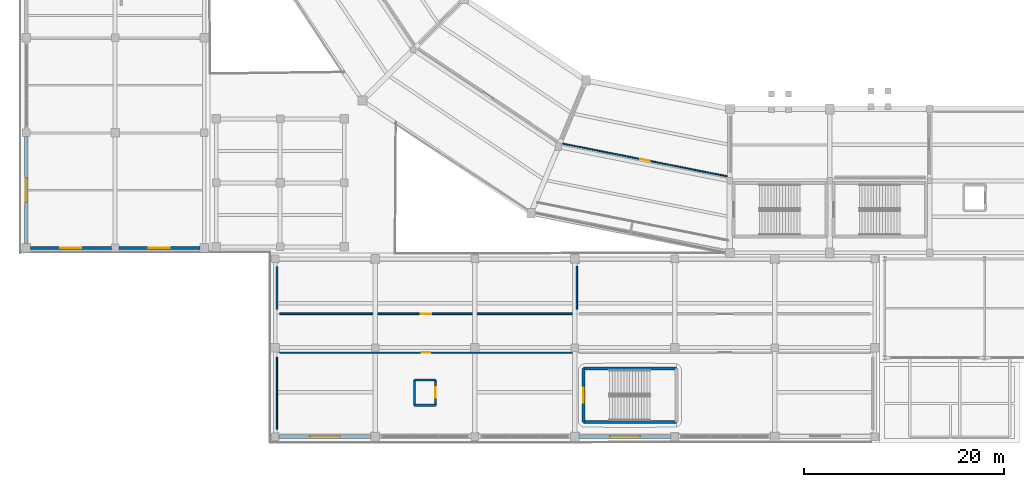
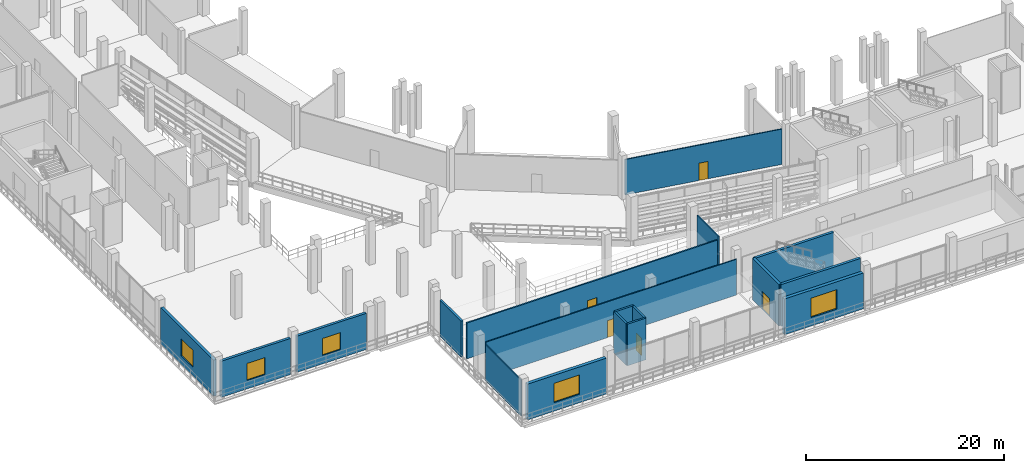
# One storey, part 70 of 114: 18 walls, 5 doors, 5 windows, 10 openings.
"""IFC4 building model written with IfcOpenShell, lengths in metres."""

from ifc_helpers import new_model, si_unit, direction, frame, frame_2d, origin, place, context, subcontext, project, spatial, rectangle, extrude, material, layer, layer_set, type_object, element, fill, save


model = new_model("IFC4")

# Units and contexts
model_context = context("Model", 3, precision=1e-05, world=origin(), true_north=direction((0.0, 1.0)))
body_context = subcontext(model_context, "Body", "Model", "MODEL_VIEW")
ifc_project = project(units=[si_unit("LENGTHUNIT", "METRE"), si_unit("AREAUNIT", "SQUARE_METRE"), si_unit("VOLUMEUNIT", "CUBIC_METRE"), si_unit("PLANEANGLEUNIT", "RADIAN"), si_unit("MASSUNIT", "GRAM", prefix="KILO")], contexts=[model_context])

# Site, building, storey
site_placement = place(None, origin())
site = spatial("IfcSite", under=ifc_project, at=site_placement, CompositionType="ELEMENT")
building_placement = place(site_placement, origin())
building = spatial("IfcBuilding", under=site, at=building_placement, Name="Candeia Ridge Stadium", CompositionType="ELEMENT")
storey_placement = place(building_placement, frame((0.0, 0.0, 5.39990234375)))
storey = spatial("IfcBuildingStorey", under=building, at=storey_placement, Name="L01", CompositionType="ELEMENT", Elevation=5.39990234375)

# Walls
ifc_material_1 = material(Name="Gypsum Metal-Stud Partition", Category="gypsum")
ifc_layer_1 = layer(ifc_material_1, 0.14501953125, Name="Gypsum Metal-Stud Partition", Category="gypsum")
ifc_layer_set_1 = layer_set([ifc_layer_1], Name="Gypsum Metal-Stud Partition")
wall_type_1 = type_object("IfcWallType", Name="Athlete Recovery Partition 145", PredefinedType="PARTITIONING", material=ifc_layer_set_1)
wall_1_placement = place(storey_placement, frame((55.699951171875, 13.35009765625, 0.0), z_axis=(0.0, 0.0, 1.0), x_axis=(0.0, 1.0, 0.0)))
element("IfcWall", 1, at=wall_1_placement, inside=storey, type_object=wall_type_1, Name="Demising partition PT-L01-0231", PredefinedType="PARTITIONING", context=body_context, shape_type="SweptSolid", body=[
    extrude(rectangle(XDim=4.2998046875, YDim=0.14501953125, at=frame_2d((2.14990234375, 0.0))), origin(), (0.0, 0.0, 1.0), 4.425048828125),
])
ifc_material_2 = material(Name="Concrete C45/55", Category="concrete")
ifc_layer_2 = layer(ifc_material_2, 0.300048828125, Name="Concrete C45/55", Category="concrete")
ifc_layer_set_2 = layer_set([ifc_layer_2], Name="Concrete C45/55")
wall_type_2 = type_object("IfcWallType", Name="Core Shear Wall Concrete 300", PredefinedType="SHEAR", material=ifc_layer_set_2)
for number, where, z_axis, x_axis, name in (
    (2, (56.350341796875, 2.05029296875, 0.0), (0.0, 0.0, 1.0), (1.0, 0.0, 0.0), "Core C13 left shear wall L01"),
    (3, (65.649658203125, 7.399658203125, 0.0), (0.0, 0.0, 1.0), (-1.0, 0.0, 0.0), "Core C13 right shear wall L01"),
):
    element("IfcWall", number, at=place(storey_placement, frame(where, z_axis=z_axis, x_axis=x_axis)), inside=storey, type_object=wall_type_2, Name=name, PredefinedType="SHEAR", context=body_context, shape_type="SweptSolid", body=[
        extrude(rectangle(XDim=9.29931640625, YDim=0.300048828125, at=frame_2d((4.649658203125, 0.0))), origin(), (0.0, 0.0, 1.0), 5.14013671875),
    ])

# Wall, opening, door
wall_2_placement = place(storey_placement, frame((56.350341796875, 7.399658203125, 0.0), z_axis=(0.0, 0.0, 1.0), x_axis=(0.0, -1.0, 0.0)))
wall_2 = element("IfcWall", 4, at=wall_2_placement, inside=storey, type_object=wall_type_2, Name="Core C13 near shear wall L01", PredefinedType="SHEAR", context=body_context, shape_type="SweptSolid", body=[
    extrude(rectangle(XDim=5.349365234375, YDim=0.300048828125, at=frame_2d((2.6748046875, 0.0))), origin(), (0.0, 0.0, 1.0), 5.14013671875),
])
opening_1_placement = place(wall_2_placement, frame((1.924560546875, 0.0, 0.0)))
opening_1 = element("IfcOpeningElement", 5, at=opening_1_placement, cuts=wall_2, Name="Opening FD01", PredefinedType="OPENING", context=body_context, shape_type="SweptSolid", body=[
    extrude(rectangle(XDim=1.5, YDim=2.199951171875, at=frame_2d((0.75, 1.10009765625))), frame((0.0, 0.159912109375, 0.0), z_axis=(0.0, -1.0, 0.0), x_axis=(1.0, 0.0, 0.0)), (0.0, 0.0, 1.0), 0.320068359375),
])
ifc_material_3 = material(Name="Galvanized Fire-Rated Steel", Category="steel")
door_type_1 = type_object("IfcDoorType", Name="Exit Stair Core Fire Door 1500x2200", OperationType="NOTDEFINED", PredefinedType="DOOR", material=ifc_material_3)
door_1_placement = place(opening_1_placement, origin())
door_1 = element("IfcDoor", 6, at=door_1_placement, inside=storey, type_object=door_type_1, Name="Exit stair fire door SD-ST13-L01", OperationType="DOUBLE_DOOR_SINGLE_SWING", OverallHeight=2.199951171875, OverallWidth=1.5, PredefinedType="DOOR", context=body_context, shape_type="SweptSolid", body=[
    extrude(rectangle(XDim=1.5, YDim=2.199951171875, at=frame_2d((0.75, 1.10009765625))), frame((0.0, 0.02490234375, 0.0), z_axis=(0.0, -1.0, 0.0), x_axis=(1.0, 0.0, 0.0)), (0.0, 0.0, 1.0), 0.050048828125),
])
fill(opening_1, door_1)

# Wall
ifc_material_4 = material(Name="Moisture-Resistant Masonry & Tile", Category="masonry")
ifc_layer_3 = layer(ifc_material_4, 0.22998046875, Name="Moisture-Resistant Masonry & Tile", Category="masonry")
ifc_layer_set_3 = layer_set([ifc_layer_3], Name="Moisture-Resistant Masonry & Tile")
wall_type_3 = type_object("IfcWallType", Name="Dressing Suite Wet-Wall Chase 230", PredefinedType="PLUMBINGWALL", material=ifc_layer_set_3)
wall_3_placement = place(storey_placement, frame((25.699951171875, 13.35009765625, 0.0), z_axis=(0.0, 0.0, 1.0), x_axis=(0.0, 1.0, 0.0)))
element("IfcWall", 7, at=wall_3_placement, inside=storey, type_object=wall_type_3, Name="Demising partition PT-L01-0227", PredefinedType="PLUMBINGWALL", context=body_context, shape_type="SweptSolid", body=[
    extrude(rectangle(XDim=4.2998046875, YDim=0.22998046875, at=frame_2d((2.14990234375, 0.0))), origin(), (0.0, 0.0, 1.0), 4.47509765625),
])

# Wall, opening, window
ifc_material_5 = material(Name="Concrete C35/45", Category="concrete")
ifc_layer_4 = layer(ifc_material_5, 0.320068359375, Name="Concrete C35/45", Category="concrete")
ifc_layer_set_4 = layer_set([ifc_layer_4], Name="Concrete C35/45")
wall_type_4 = type_object("IfcWallType", Name="Exterior Cedar-Clad Insulated Wall 320", PredefinedType="SOLIDWALL", material=ifc_layer_set_4)
wall_4_placement = place(storey_placement, frame((0.60009765625, 19.9130859375, 0.0), z_axis=(0.0, 0.0, 1.0), x_axis=(0.0, 1.0, 0.0)))
wall_4 = element("IfcWall", 8, at=wall_4_placement, inside=storey, type_object=wall_type_4, Name="Exterior facade wall EW-L01-0063", PredefinedType="SOLIDWALL", context=body_context, shape_type="SweptSolid", body=[
    extrude(rectangle(XDim=10.723876953125, YDim=0.320068359375, at=frame_2d((5.36181640625, 0.0))), origin(), (0.0, 0.0, 1.0), 4.47509765625),
])
opening_2_placement = place(wall_4_placement, frame((4.162109375, 0.0, 1.050048828125)))
opening_2 = element("IfcOpeningElement", 9, at=opening_2_placement, cuts=wall_4, Name="Opening W03", PredefinedType="OPENING", context=body_context, shape_type="SweptSolid", body=[
    extrude(rectangle(XDim=2.39990234375, YDim=2.10009765625, at=frame_2d((1.199951171875, 1.050048828125))), frame((0.0, 0.169921875, 0.0), z_axis=(0.0, -1.0, 0.0), x_axis=(1.0, 0.0, 0.0)), (0.0, 0.0, 1.0), 0.340087890625),
])
ifc_material_6 = material(Name="Tempered Solar-Control Double Glazing", Category="glass")
window_type_1 = type_object("IfcWindowType", Name="Hospitality Ribbon Window 2400x2100", PartitioningType="SINGLE_PANEL", PredefinedType="WINDOW", material=ifc_material_6)
window_1_placement = place(opening_2_placement, origin())
window_1 = element("IfcWindow", 10, at=window_1_placement, inside=storey, type_object=window_type_1, Name="Exterior window WIN-L01-019", OverallHeight=2.10009765625, OverallWidth=2.39990234375, PartitioningType="SINGLE_PANEL", PredefinedType="WINDOW", context=body_context, shape_type="SweptSolid", body=[
    extrude(rectangle(XDim=2.39990234375, YDim=2.10009765625, at=frame_2d((1.199951171875, 1.050048828125))), frame((0.0, 0.030029296875, 0.0), z_axis=(0.0, -1.0, 0.0), x_axis=(1.0, 0.0, 0.0)), (0.0, 0.0, 1.0), 0.06005859375),
])
fill(opening_2, window_1)

ifc_material_7 = material(Name="Concrete C40/50", Category="concrete")
ifc_layer_5 = layer(ifc_material_7, 0.3798828125, Name="Concrete C40/50", Category="concrete")
ifc_layer_set_5 = layer_set([ifc_layer_5], Name="Concrete C40/50")
wall_type_5 = type_object("IfcWallType", Name="Exterior Museum Gallery Wall 380", PredefinedType="SOLIDWALL", material=ifc_layer_set_5)
wall_5_placement = place(storey_placement, frame((25.863037109375, 0.60009765625, 0.0), z_axis=(0.0, 0.0, 1.0), x_axis=(1.0, 0.0, 0.0)))
wall_5 = element("IfcWall", 11, at=wall_5_placement, inside=storey, type_object=wall_type_5, Name="Exterior facade wall EW-L01-0170", PredefinedType="SOLIDWALL", context=body_context, shape_type="SweptSolid", body=[
    extrude(rectangle(XDim=9.223876953125, YDim=0.3798828125, at=frame_2d((4.61181640625, 0.0))), origin(), (0.0, 0.0, 1.0), 4.425048828125),
])
opening_3_placement = place(wall_5_placement, frame((3.112060546875, 0.0, 1.050048828125)))
opening_3 = element("IfcOpeningElement", 12, at=opening_3_placement, cuts=wall_5, Name="Opening W01", PredefinedType="OPENING", context=body_context, shape_type="SweptSolid", body=[
    extrude(rectangle(XDim=3.0, YDim=2.39990234375, at=frame_2d((1.5, 1.199951171875))), frame((0.0, 0.199951171875, 0.0), z_axis=(0.0, -1.0, 0.0), x_axis=(1.0, 0.0, 0.0)), (0.0, 0.0, 1.0), 0.39990234375),
])
window_type_2 = type_object("IfcWindowType", Name="Boulevard Showcase Window 3000x2400", PartitioningType="SINGLE_PANEL", PredefinedType="WINDOW", material=ifc_material_6)
window_2_placement = place(opening_3_placement, origin())
window_2 = element("IfcWindow", 13, at=window_2_placement, inside=storey, type_object=window_type_2, Name="Exterior window WIN-L01-091", OverallHeight=2.39990234375, OverallWidth=3.0, PartitioningType="SINGLE_PANEL", PredefinedType="WINDOW", context=body_context, shape_type="SweptSolid", body=[
    extrude(rectangle(XDim=3.0, YDim=2.39990234375, at=frame_2d((1.5, 1.199951171875))), frame((0.0, 0.030029296875, 0.0), z_axis=(0.0, -1.0, 0.0), x_axis=(1.0, 0.0, 0.0)), (0.0, 0.0, 1.0), 0.06005859375),
])
fill(opening_3, window_2)

wall_6_placement = place(storey_placement, frame((55.9130859375, 0.60009765625, 0.0), z_axis=(0.0, 0.0, 1.0), x_axis=(1.0, 0.0, 0.0)))
wall_6 = element("IfcWall", 14, at=wall_6_placement, inside=storey, type_object=wall_type_5, Name="Exterior facade wall EW-L01-0171", PredefinedType="SOLIDWALL", context=body_context, shape_type="SweptSolid", body=[
    extrude(rectangle(XDim=9.223876953125, YDim=0.3798828125, at=frame_2d((4.61181640625, 0.0))), origin(), (0.0, 0.0, 1.0), 4.425048828125),
])
opening_4_placement = place(wall_6_placement, frame((3.112060546875, 0.0, 1.050048828125)))
opening_4 = element("IfcOpeningElement", 15, at=opening_4_placement, cuts=wall_6, Name="Opening W01", PredefinedType="OPENING", context=body_context, shape_type="SweptSolid", body=[
    extrude(rectangle(XDim=3.0, YDim=2.39990234375, at=frame_2d((1.5, 1.199951171875))), frame((0.0, 0.199951171875, 0.0), z_axis=(0.0, -1.0, 0.0), x_axis=(1.0, 0.0, 0.0)), (0.0, 0.0, 1.0), 0.39990234375),
])
window_3_placement = place(opening_4_placement, origin())
window_3 = element("IfcWindow", 16, at=window_3_placement, inside=storey, type_object=window_type_2, Name="Exterior window WIN-L01-092", OverallHeight=2.39990234375, OverallWidth=3.0, PartitioningType="SINGLE_PANEL", PredefinedType="WINDOW", context=body_context, shape_type="SweptSolid", body=[
    extrude(rectangle(XDim=3.0, YDim=2.39990234375, at=frame_2d((1.5, 1.199951171875))), frame((0.0, 0.030029296875, 0.0), z_axis=(0.0, -1.0, 0.0), x_axis=(1.0, 0.0, 0.0)), (0.0, 0.0, 1.0), 0.06005859375),
])
fill(opening_4, window_3)

ifc_layer_6 = layer(ifc_material_5, 0.300048828125, Name="Concrete C35/45", Category="concrete")
ifc_layer_set_6 = layer_set([ifc_layer_6], Name="Concrete C35/45")
wall_type_6 = type_object("IfcWallType", Name="Exterior Pavilion Rainscreen Wall 300", PredefinedType="SOLIDWALL", material=ifc_layer_set_6)
wall_7_placement = place(storey_placement, frame((1.012939453125, 19.5, 0.0), z_axis=(0.0, 0.0, 1.0), x_axis=(1.0, 0.0, 0.0)))
wall_7 = element("IfcWall", 17, at=wall_7_placement, inside=storey, type_object=wall_type_6, Name="Exterior facade wall EW-L01-0071", PredefinedType="SOLIDWALL", context=body_context, shape_type="SweptSolid", body=[
    extrude(rectangle(XDim=8.1240234375, YDim=0.300048828125, at=frame_2d((4.06201171875, 0.0))), origin(), (0.0, 0.0, 1.0), 4.47509765625),
])
opening_5_placement = place(wall_7_placement, frame((3.011962890625, 0.0, 1.050048828125)))
opening_5 = element("IfcOpeningElement", 18, at=opening_5_placement, cuts=wall_7, Name="Opening W04", PredefinedType="OPENING", context=body_context, shape_type="SweptSolid", body=[
    extrude(rectangle(XDim=2.10009765625, YDim=2.10009765625, at=frame_2d((1.050048828125, 1.050048828125))), frame((0.0, 0.159912109375, 0.0), z_axis=(0.0, -1.0, 0.0), x_axis=(1.0, 0.0, 0.0)), (0.0, 0.0, 1.0), 0.320068359375),
])
window_type_3 = type_object("IfcWindowType", Name="Hospitality Ribbon Window 2100x2100", PartitioningType="SINGLE_PANEL", PredefinedType="WINDOW", material=ifc_material_6)
window_4_placement = place(opening_5_placement, origin())
window_4 = element("IfcWindow", 19, at=window_4_placement, inside=storey, type_object=window_type_3, Name="Exterior window WIN-L01-026", OverallHeight=2.10009765625, OverallWidth=2.10009765625, PartitioningType="SINGLE_PANEL", PredefinedType="WINDOW", context=body_context, shape_type="SweptSolid", body=[
    extrude(rectangle(XDim=2.10009765625, YDim=2.10009765625, at=frame_2d((1.050048828125, 1.050048828125))), frame((0.0, 0.030029296875, 0.0), z_axis=(0.0, -1.0, 0.0), x_axis=(1.0, 0.0, 0.0)), (0.0, 0.0, 1.0), 0.06005859375),
])
fill(opening_5, window_4)

wall_8_placement = place(storey_placement, frame((9.863037109375, 19.5, 0.0), z_axis=(0.0, 0.0, 1.0), x_axis=(1.0, 0.0, 0.0)))
wall_8 = element("IfcWall", 20, at=wall_8_placement, inside=storey, type_object=wall_type_6, Name="Exterior facade wall EW-L01-0072", PredefinedType="SOLIDWALL", context=body_context, shape_type="SweptSolid", body=[
    extrude(rectangle(XDim=8.1240234375, YDim=0.300048828125, at=frame_2d((4.06201171875, 0.0))), origin(), (0.0, 0.0, 1.0), 4.47509765625),
])
opening_6_placement = place(wall_8_placement, frame((3.011962890625, 0.0, 1.050048828125)))
opening_6 = element("IfcOpeningElement", 21, at=opening_6_placement, cuts=wall_8, Name="Opening W04", PredefinedType="OPENING", context=body_context, shape_type="SweptSolid", body=[
    extrude(rectangle(XDim=2.10009765625, YDim=2.10009765625, at=frame_2d((1.050048828125, 1.050048828125))), frame((0.0, 0.159912109375, 0.0), z_axis=(0.0, -1.0, 0.0), x_axis=(1.0, 0.0, 0.0)), (0.0, 0.0, 1.0), 0.320068359375),
])
window_5_placement = place(opening_6_placement, origin())
window_5 = element("IfcWindow", 22, at=window_5_placement, inside=storey, type_object=window_type_3, Name="Exterior window WIN-L01-027", OverallHeight=2.10009765625, OverallWidth=2.10009765625, PartitioningType="SINGLE_PANEL", PredefinedType="WINDOW", context=body_context, shape_type="SweptSolid", body=[
    extrude(rectangle(XDim=2.10009765625, YDim=2.10009765625, at=frame_2d((1.050048828125, 1.050048828125))), frame((0.0, 0.030029296875, 0.0), z_axis=(0.0, -1.0, 0.0), x_axis=(1.0, 0.0, 0.0)), (0.0, 0.0, 1.0), 0.06005859375),
])
fill(opening_6, window_5)

# Wall, opening, door
ifc_material_8 = material(Name="Gypsum Acoustic Twin-Stud Assembly", Category="gypsum")
ifc_layer_7 = layer(ifc_material_8, 0.1650390625, Name="Gypsum Acoustic Twin-Stud Assembly", Category="gypsum")
ifc_layer_set_7 = layer_set([ifc_layer_7], Name="Gypsum Acoustic Twin-Stud Assembly")
wall_type_7 = type_object("IfcWallType", Name="Hospitality Suite Acoustic Wall 165", PredefinedType="PARTITIONING", material=ifc_layer_set_7)
wall_9_placement = place(storey_placement, frame((55.25, 12.89990234375, 0.0), z_axis=(0.0, 0.0, 1.0), x_axis=(-1.0, 0.0, 0.0)))
wall_9 = element("IfcWall", 23, at=wall_9_placement, inside=storey, type_object=wall_type_7, Name="Interior partition PT-L01-0226", PredefinedType="PARTITIONING", context=body_context, shape_type="SweptSolid", body=[
    extrude(rectangle(XDim=29.300048828125, YDim=0.1650390625, at=frame_2d((14.64990234375, 0.0))), origin(), (0.0, 0.0, 1.0), 4.425048828125),
])
opening_7_placement = place(wall_9_placement, frame((14.110107421875, 0.0, 0.0)))
opening_7 = element("IfcOpeningElement", 24, at=opening_7_placement, cuts=wall_9, Name="Opening ID08", PredefinedType="OPENING", context=body_context, shape_type="SweptSolid", body=[
    extrude(rectangle(XDim=1.080078125, YDim=2.25, at=frame_2d((0.5400390625, 1.125))), frame((0.0, 0.092529296875, 0.0), z_axis=(0.0, -1.0, 0.0), x_axis=(1.0, 0.0, 0.0)), (0.0, 0.0, 1.0), 0.18505859375),
])
ifc_material_9 = material(Name="Western Red Cedar Acoustic Veneer", Category="wood")
door_type_2 = type_object("IfcDoorType", Name="Executive Skybox Entry Door 1080x2250", OperationType="NOTDEFINED", PredefinedType="DOOR", material=ifc_material_9)
door_2_placement = place(opening_7_placement, frame((1.080078125, 0.0, 0.0), z_axis=(0.0, 0.0, 1.0), x_axis=(-1.0, 0.0, 0.0)))
door_2 = element("IfcDoor", 25, at=door_2_placement, inside=storey, type_object=door_type_2, Name="Interior room door D-L01-0118", OperationType="SINGLE_SWING_RIGHT", OverallHeight=2.25, OverallWidth=1.080078125, PredefinedType="DOOR", context=body_context, shape_type="SweptSolid", body=[
    extrude(rectangle(XDim=1.080078125, YDim=2.25, at=frame_2d((0.5400390625, 1.125))), frame((0.0, 0.02490234375, 0.0), z_axis=(0.0, -1.0, 0.0), x_axis=(1.0, 0.0, 0.0)), (0.0, 0.0, 1.0), 0.050048828125),
])
fill(opening_7, door_2)

# Wall
ifc_layer_8 = layer(ifc_material_7, 0.219970703125, Name="Concrete C40/50", Category="concrete")
ifc_layer_set_8 = layer_set([ifc_layer_8], Name="Concrete C40/50")
wall_type_8 = type_object("IfcWallType", Name="Lift & Riser Shaft Wall 220", PredefinedType="SHEAR", material=ifc_layer_set_8)
wall_10_placement = place(storey_placement, frame((39.43994140625, 3.739990234375, 0.0), z_axis=(0.0, 0.0, 1.0), x_axis=(1.0, 0.0, 0.0)))
element("IfcWall", 26, at=wall_10_placement, inside=storey, type_object=wall_type_8, Name="Lift PL5 shaft wall L01 south", PredefinedType="SHEAR", context=body_context, shape_type="SweptSolid", body=[
    extrude(rectangle(XDim=2.1201171875, YDim=0.219970703125, at=frame_2d((1.06005859375, 0.0))), origin(), (0.0, 0.0, 1.0), 5.14013671875),
])

# Wall, opening, door
wall_11_placement = place(storey_placement, frame((41.56005859375, 3.739990234375, 0.0), z_axis=(0.0, 0.0, 1.0), x_axis=(0.0, 1.0, 0.0)))
wall_11 = element("IfcWall", 27, at=wall_11_placement, inside=storey, type_object=wall_type_8, Name="Lift PL5 shaft wall L01 east", PredefinedType="SHEAR", context=body_context, shape_type="SweptSolid", body=[
    extrude(rectangle(XDim=2.52001953125, YDim=0.219970703125, at=frame_2d((1.260009765625, 0.0))), origin(), (0.0, 0.0, 1.0), 5.14013671875),
])
opening_8_placement = place(wall_11_placement, frame((0.735107421875, 0.0, 0.0)))
opening_8 = element("IfcOpeningElement", 28, at=opening_8_placement, cuts=wall_11, Name="Opening LD02", PredefinedType="OPENING", context=body_context, shape_type="SweptSolid", body=[
    extrude(rectangle(XDim=1.050048828125, YDim=2.14990234375, at=frame_2d((0.52490234375, 1.074951171875))), frame((0.0, 0.119873046875, 0.0), z_axis=(0.0, -1.0, 0.0), x_axis=(1.0, 0.0, 0.0)), (0.0, 0.0, 1.0), 0.239990234375),
])
ifc_material_10 = material(Name="Brushed Stainless Steel", Category="steel")
door_type_3 = type_object("IfcDoorType", Name="Passenger Lift Landing Door 1050x2150", OperationType="NOTDEFINED", PredefinedType="DOOR", material=ifc_material_10)
door_3_placement = place(opening_8_placement, origin())
door_3 = element("IfcDoor", 29, at=door_3_placement, inside=storey, type_object=door_type_3, Name="Lift landing sliding door LD-PL5-L01", OperationType="DOUBLE_DOOR_SLIDING", OverallHeight=2.14990234375, OverallWidth=1.050048828125, PredefinedType="DOOR", context=body_context, shape_type="SweptSolid", body=[
    extrude(rectangle(XDim=1.050048828125, YDim=2.14990234375, at=frame_2d((0.52490234375, 1.074951171875))), frame((0.0, 0.02490234375, 0.0), z_axis=(0.0, -1.0, 0.0), x_axis=(1.0, 0.0, 0.0)), (0.0, 0.0, 1.0), 0.050048828125),
])
fill(opening_8, door_3)

# Walls
wall_12_placement = place(storey_placement, frame((41.56005859375, 6.260009765625, 0.0), z_axis=(0.0, 0.0, 1.0), x_axis=(-1.0, 0.0, 0.0)))
element("IfcWall", 30, at=wall_12_placement, inside=storey, type_object=wall_type_8, Name="Lift PL5 shaft wall L01 north", PredefinedType="SHEAR", context=body_context, shape_type="SweptSolid", body=[
    extrude(rectangle(XDim=2.1201171875, YDim=0.219970703125, at=frame_2d((1.06005859375, 0.0))), origin(), (0.0, 0.0, 1.0), 5.14013671875),
])
wall_13_placement = place(storey_placement, frame((39.43994140625, 6.260009765625, 0.0), z_axis=(0.0, 0.0, 1.0), x_axis=(0.0, -1.0, 0.0)))
element("IfcWall", 31, at=wall_13_placement, inside=storey, type_object=wall_type_8, Name="Lift PL5 shaft wall L01 west", PredefinedType="SHEAR", context=body_context, shape_type="SweptSolid", body=[
    extrude(rectangle(XDim=2.52001953125, YDim=0.219970703125, at=frame_2d((1.260009765625, 0.0))), origin(), (0.0, 0.0, 1.0), 5.14013671875),
])
ifc_layer_9 = layer(ifc_material_1, 0.1201171875, Name="Gypsum Metal-Stud Partition", Category="gypsum")
ifc_layer_set_9 = layer_set([ifc_layer_9], Name="Gypsum Metal-Stud Partition")
wall_type_9 = type_object("IfcWallType", Name="Suite Internal Divider 120", PredefinedType="PARTITIONING", material=ifc_layer_set_9)
wall_14_placement = place(storey_placement, frame((25.699951171875, 1.35009765625, 0.0), z_axis=(0.0, 0.0, 1.0), x_axis=(0.0, 1.0, 0.0)))
element("IfcWall", 32, at=wall_14_placement, inside=storey, type_object=wall_type_9, Name="Demising partition PT-L01-0225", PredefinedType="PARTITIONING", context=body_context, shape_type="SweptSolid", body=[
    extrude(rectangle(XDim=7.199951171875, YDim=0.1201171875, at=frame_2d((3.60009765625, 0.0))), origin(), (0.0, 0.0, 1.0), 4.47509765625),
])

# Wall, opening, door
wall_15_placement = place(storey_placement, frame((70.7548828125, 26.648681640625, 0.0), z_axis=(0.0, 0.0, 1.0), x_axis=(-0.980783244425, 0.195100557291, 0.0)))
wall_15 = element("IfcWall", 33, at=wall_15_placement, inside=storey, type_object=wall_type_9, Name="Interior partition PT-L01-0304", PredefinedType="PARTITIONING", context=body_context, shape_type="SweptSolid", body=[
    extrude(rectangle(XDim=16.783203125, YDim=0.1201171875, at=frame_2d((8.3916015625, 0.0))), origin(), (0.0, 0.0, 1.0), 4.375),
])
opening_9_placement = place(wall_15_placement, frame((7.901611328125, 0.0, 0.0)))
opening_9 = element("IfcOpeningElement", 34, at=opening_9_placement, cuts=wall_15, Name="Opening ID12", PredefinedType="OPENING", context=body_context, shape_type="SweptSolid", body=[
    extrude(rectangle(XDim=0.97998046875, YDim=2.14990234375, at=frame_2d((0.489990234375, 1.074951171875))), frame((0.0, 0.070068359375, 0.0), z_axis=(0.0, -1.0, 0.0), x_axis=(1.0, 0.0, 0.0)), (0.0, 0.0, 1.0), 0.14013671875),
])
ifc_material_11 = material(Name="Acoustic Timber Studio Leaf", Category="wood")
door_type_4 = type_object("IfcDoorType", Name="Commentary Booth Acoustic Door 980x2150", OperationType="NOTDEFINED", PredefinedType="DOOR", material=ifc_material_11)
door_4_placement = place(opening_9_placement, frame((0.97998046875, 0.0, 0.0), z_axis=(0.0, 0.0, 1.0), x_axis=(-1.0, 0.0, 0.0)))
door_4 = element("IfcDoor", 35, at=door_4_placement, inside=storey, type_object=door_type_4, Name="Interior room door D-L01-0157", OperationType="SINGLE_SWING_LEFT", OverallHeight=2.14990234375, OverallWidth=0.97998046875, PredefinedType="DOOR", context=body_context, shape_type="SweptSolid", body=[
    extrude(rectangle(XDim=0.97998046875, YDim=2.14990234375, at=frame_2d((0.489990234375, 1.074951171875))), frame((0.0, 0.02490234375, 0.0), z_axis=(0.0, -1.0, 0.0), x_axis=(1.0, 0.0, 0.0)), (0.0, 0.0, 1.0), 0.050048828125),
])
fill(opening_9, door_4)

ifc_layer_10 = layer(ifc_material_1, 0.1298828125, Name="Gypsum Metal-Stud Partition", Category="gypsum")
ifc_layer_set_10 = layer_set([ifc_layer_10], Name="Gypsum Metal-Stud Partition")
wall_type_10 = type_object("IfcWallType", Name="Ticketing Back-Office Partition 130", PredefinedType="PARTITIONING", material=ifc_layer_set_10)
wall_16_placement = place(storey_placement, frame((25.949951171875, 9.0, 0.0), z_axis=(0.0, 0.0, 1.0), x_axis=(1.0, 0.0, 0.0)))
wall_16 = element("IfcWall", 36, at=wall_16_placement, inside=storey, type_object=wall_type_10, Name="Interior partition PT-L01-0224", PredefinedType="PARTITIONING", context=body_context, shape_type="SweptSolid", body=[
    extrude(rectangle(XDim=29.300048828125, YDim=0.1298828125, at=frame_2d((14.64990234375, 0.0))), origin(), (0.0, 0.0, 1.0), 4.425048828125),
])
opening_10_placement = place(wall_16_placement, frame((14.199951171875, 0.0, 0.0)))
opening_10 = element("IfcOpeningElement", 37, at=opening_10_placement, cuts=wall_16, Name="Opening ID07", PredefinedType="OPENING", context=body_context, shape_type="SweptSolid", body=[
    extrude(rectangle(XDim=0.89990234375, YDim=2.10009765625, at=frame_2d((0.449951171875, 1.050048828125))), frame((0.0, 0.074951171875, 0.0), z_axis=(0.0, -1.0, 0.0), x_axis=(1.0, 0.0, 0.0)), (0.0, 0.0, 1.0), 0.14990234375),
])
ifc_material_12 = material(Name="Moisture-Resistant Laminate", Category="wood")
door_type_5 = type_object("IfcDoorType", Name="Sanitary Lobby Single Door 900x2100", OperationType="NOTDEFINED", PredefinedType="DOOR", material=ifc_material_12)
door_5_placement = place(opening_10_placement, frame((0.89990234375, 0.0, 0.0), z_axis=(0.0, 0.0, 1.0), x_axis=(-1.0, 0.0, 0.0)))
door_5 = element("IfcDoor", 38, at=door_5_placement, inside=storey, type_object=door_type_5, Name="Interior room door D-L01-0117", OperationType="SINGLE_SWING_LEFT", OverallHeight=2.10009765625, OverallWidth=0.89990234375, PredefinedType="DOOR", context=body_context, shape_type="SweptSolid", body=[
    extrude(rectangle(XDim=0.89990234375, YDim=2.10009765625, at=frame_2d((0.449951171875, 1.050048828125))), frame((0.0, 0.02490234375, 0.0), z_axis=(0.0, -1.0, 0.0), x_axis=(1.0, 0.0, 0.0)), (0.0, 0.0, 1.0), 0.050048828125),
])
fill(opening_10, door_5)

save(model, "model.ifc")
